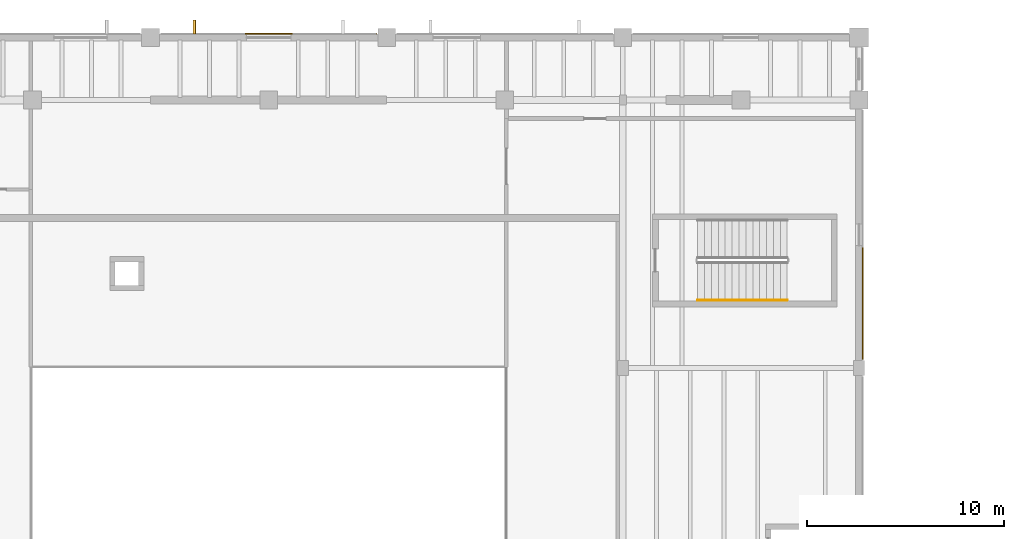
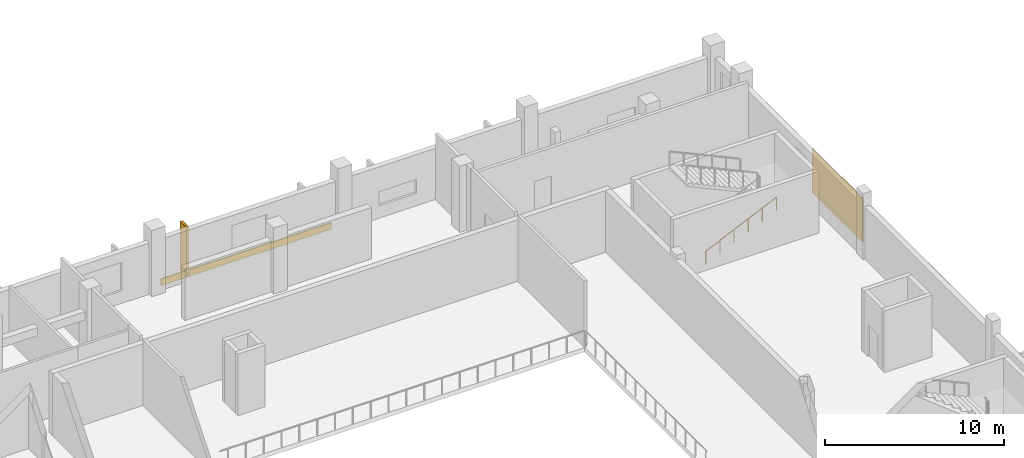
# One storey, part 108 of 114: 3 coverings, 1 railing, 1 shading device.
"""IFC4 building model written with IfcOpenShell, lengths in metres."""

from ifc_helpers import new_model, si_unit, direction, frame, origin, origin_2d, place, context, subcontext, project, spatial, rectangle, circle, extrude, material, layer, layer_set, type_object, element, save


model = new_model("IFC4")

# Units and contexts
model_context = context("Model", 3, precision=1e-05, world=origin(), true_north=direction((0.0, 1.0)))
body_context = subcontext(model_context, "Body", "Model", "MODEL_VIEW")
ifc_project = project(units=[si_unit("LENGTHUNIT", "METRE"), si_unit("AREAUNIT", "SQUARE_METRE"), si_unit("VOLUMEUNIT", "CUBIC_METRE"), si_unit("PLANEANGLEUNIT", "RADIAN"), si_unit("MASSUNIT", "GRAM", prefix="KILO")], contexts=[model_context])

# Site, building, storey
site_placement = place(None, origin())
site = spatial("IfcSite", under=ifc_project, at=site_placement, CompositionType="ELEMENT")
building_placement = place(site_placement, origin())
building = spatial("IfcBuilding", under=site, at=building_placement, Name="Kelmvaro Bay Concert Hall", CompositionType="ELEMENT")
storey_placement = place(building_placement, frame((0.0, 0.0, 4.800048828125)))
storey = spatial("IfcBuildingStorey", under=building, at=storey_placement, Name="L01", CompositionType="ELEMENT", Elevation=4.800048828125)

# Shading device
ifc_material_1 = material(Name="Anodised Extruded Aluminium 6063-T6", Category="aluminium")
ifc_layer_1 = layer(ifc_material_1, 3.39990234375)
ifc_layer_set_1 = layer_set([ifc_layer_1], Name="Anodised Extruded Aluminium 6063-T6")
shading_device_type = type_object("IfcShadingDeviceType", Name="Bauhaus Vertical Solar Brise-Soleil Fin 720x3400", PredefinedType="SHUTTER", material=ifc_layer_set_1)
shading_device_placement = place(storey_placement, frame((26.22607421875, 114.52587890625, 0.0595703125), z_axis=(0.0, 0.0, 1.0), x_axis=(1.0, 0.0, 0.0)))
element("IfcShadingDevice", 1, at=shading_device_placement, inside=storey, type_object=shading_device_type, Name="L01 Solar Brise-Soleil Fin 003", PredefinedType="SHUTTER", context=body_context, shape_type="SweptSolid", body=[
    extrude(rectangle(XDim=0.159912109375, YDim=0.719970703125, at=origin_2d()), origin(), (0.0, 0.0, 1.0), 3.366943359375),
])

# Coverings
ifc_material_2 = material(Name="PVDF-Coated Architectural Aluminium", Category="aluminium")
ifc_layer_2 = layer(ifc_material_2, 0.0400390625)
ifc_layer_set_2 = layer_set([ifc_layer_2], Name="PVDF-Coated Architectural Aluminium")
covering_type_1 = type_object("IfcCoveringType", Name="De Stijl Enamelled Aluminium Fascia Panel 40", PredefinedType="CLADDING", material=ifc_layer_set_2)
covering_1_placement = place(storey_placement, frame((26.22607421875, 114.52587890625, 0.0595703125), z_axis=(0.0, 0.0, 1.0), x_axis=(1.0, 0.0, 0.0)))
element("IfcCovering", 2, at=covering_1_placement, inside=storey, type_object=covering_type_1, Name="L01 Architectural Vertical Fin Cladding 0028", PredefinedType="CLADDING", context=body_context, shape_type="SweptSolid", body=[
    extrude(rectangle(XDim=0.139892578125, YDim=0.699951171875, at=origin_2d()), origin(), (0.0, 0.0, 1.0), 3.366943359375),
])
ifc_material_3 = material(Name="Honed Florida Limestone Travertine", Category="masonry")
ifc_layer_3 = layer(ifc_material_3, 0.054931640625)
ifc_layer_set_3 = layer_set([ifc_layer_3], Name="Honed Florida Limestone Travertine")
covering_type_2 = type_object("IfcCoveringType", Name="Honed Florida Travertine Rainscreen Cladding 55", PredefinedType="CLADDING", material=ifc_layer_set_3)
covering_2_placement = place(storey_placement, frame((30.0, 114.195556640625, 0.0400390625), z_axis=(0.0, 0.0, 1.0), x_axis=(1.0, 0.0, 0.0)))
element("IfcCovering", 3, at=covering_2_placement, inside=storey, type_object=covering_type_2, Name="L01 Travertine Sill Band 0027", PredefinedType="CLADDING", context=body_context, shape_type="SweptSolid", body=[
    extrude(rectangle(XDim=10.97998046875, YDim=0.054931640625, at=origin_2d()), origin(), (0.0, 0.0, 1.0), 0.4599609375),
])
covering_3_placement = place(storey_placement, frame((60.195556640625, 100.48876953125, 0.52001953125), z_axis=(0.0, 0.0, 1.0), x_axis=(0.0, -1.0, 0.0)))
element("IfcCovering", 4, at=covering_3_placement, inside=storey, type_object=covering_type_2, Name="L01 Travertine Pier Panel 0065", PredefinedType="CLADDING", context=body_context, shape_type="SweptSolid", body=[
    extrude(rectangle(XDim=5.66796875, YDim=0.054931640625, at=origin_2d()), origin(), (0.0, 0.0, 1.0), 2.989013671875),
])

# Railing
ifc_material_4 = material(Name="Brushed Stainless Steel 316", Category="steel")
railing_type = type_object("IfcRailingType", Name="Stair Stainless Wall Handrail 900", PredefinedType="HANDRAIL", material=ifc_material_4)
railing_placement = place(storey_placement, frame((51.800048828125, 100.64990234375, 0.16064453125)))
element("IfcRailing", 5, at=railing_placement, inside=storey, type_object=railing_type, Name="L01 ST-02 stair handrail 1", PredefinedType="HANDRAIL", context=body_context, shape_type="SweptSolid", body=[
    extrude(circle(Radius=0.02392578125, at=origin_2d()), frame((0.0, 0.0, 0.8759765625), z_axis=(0.908768316152, 0.0, 0.417301027506), x_axis=(0.0, 1.0, 0.0)), (0.0, 0.0, 1.0), 5.0068359375),
    extrude(circle(Radius=0.02099609375, at=origin_2d()), origin(), (0.0, 0.0, 1.0), 0.851806640625),
    extrude(circle(Radius=0.02099609375, at=origin_2d()), frame((0.909912109375, 0.0, 0.41796875)), (0.0, 0.0, 1.0), 0.851806640625),
    extrude(circle(Radius=0.02099609375, at=origin_2d()), frame((1.820068359375, 0.0, 0.835693359375)), (0.0, 0.0, 1.0), 0.851806640625),
    extrude(circle(Radius=0.02099609375, at=origin_2d()), frame((2.72998046875, 0.0, 1.253662109375)), (0.0, 0.0, 1.0), 0.851806640625),
    extrude(circle(Radius=0.02099609375, at=origin_2d()), frame((3.64013671875, 0.0, 1.67138671875)), (0.0, 0.0, 1.0), 0.851806640625),
    extrude(circle(Radius=0.02099609375, at=origin_2d()), frame((4.550048828125, 0.0, 2.08935546875)), (0.0, 0.0, 1.0), 0.851806640625),
])

save(model, "model.ifc")
